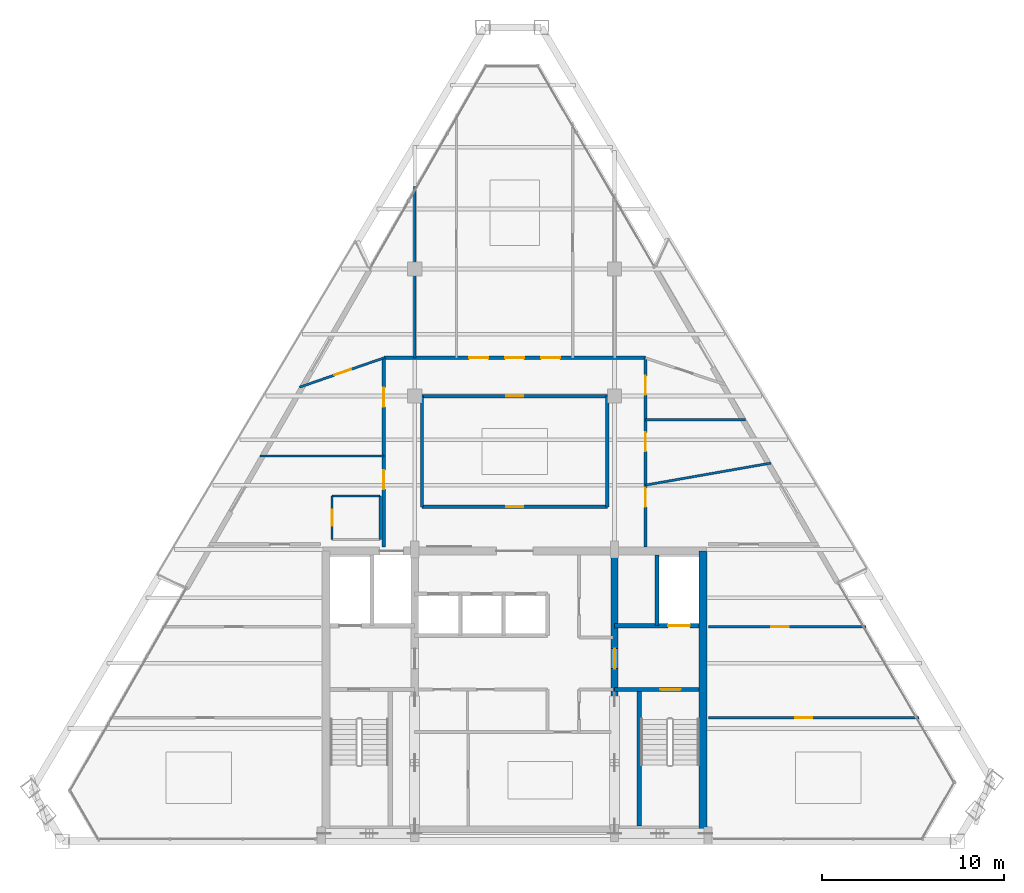
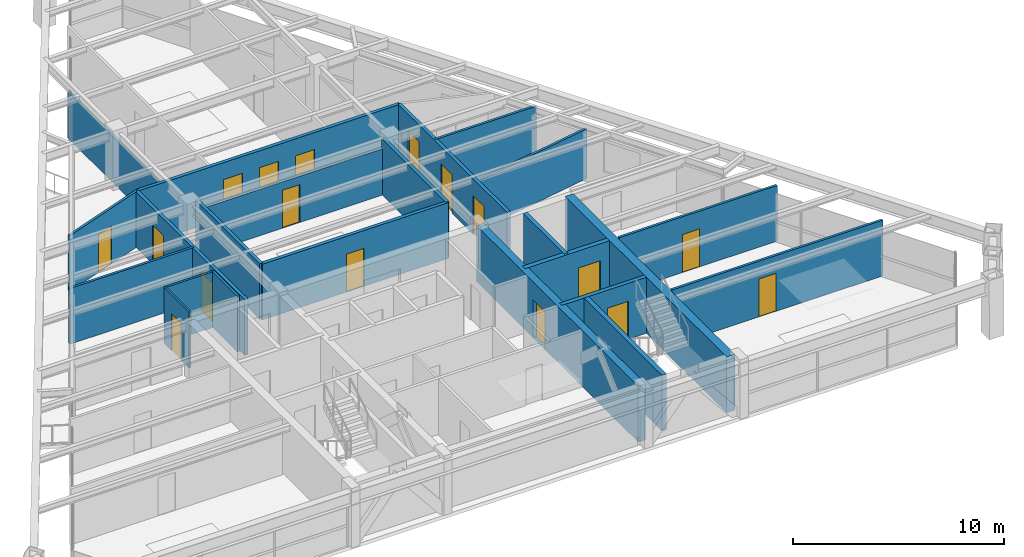
# One storey, part 10 of 13: 23 walls, 17 doors, 17 openings.
"""IFC4 building model written with IfcOpenShell, lengths in metres."""

from ifc_helpers import new_model, si_unit, direction, frame, frame_2d, origin, place, context, subcontext, project, spatial, rectangle, extrude, source, transform, mapped, material, layer, layer_set, type_object, type_shapes, element, fill, save


model = new_model("IFC4")

# Units and contexts
model_context = context("Model", 3, precision=1e-05, world=origin(), true_north=direction((0.0, 1.0)))
body_context = subcontext(model_context, "Body", "Model", "MODEL_VIEW")
ifc_project = project(units=[si_unit("LENGTHUNIT", "METRE"), si_unit("AREAUNIT", "SQUARE_METRE"), si_unit("VOLUMEUNIT", "CUBIC_METRE"), si_unit("PLANEANGLEUNIT", "RADIAN"), si_unit("MASSUNIT", "GRAM", prefix="KILO")], contexts=[model_context])

# Site, building, storey
site_placement = place(None, origin())
site = spatial("IfcSite", under=ifc_project, at=site_placement, CompositionType="ELEMENT")
building_placement = place(site_placement, origin())
building = spatial("IfcBuilding", under=site, at=building_placement, Name="Varnakhor Terracotta Tower", CompositionType="ELEMENT")
storey_placement = place(building_placement, frame((0.0, 0.0, 290.25)))
storey = spatial("IfcBuildingStorey", under=building, at=storey_placement, Name="L76", CompositionType="ELEMENT", Elevation=290.25)

# Wall
ifc_material_1 = material(Name="Moisture-Resistant Tile-Backed Partition", Category="gypsum")
ifc_layer_1 = layer(ifc_material_1, 0.114990234375, Name="Moisture-Resistant Tile-Backed Partition")
ifc_layer_set_1 = layer_set([ifc_layer_1], Name="Moisture-Resistant Tile-Backed Partition")
wall_type_1 = type_object("IfcWallType", Name="WAL-BATH-115", PredefinedType="PARTITIONING", material=ifc_layer_set_1)
wall_1_placement = place(storey_placement, frame((-10.050048828125, 19.0, 0.0), z_axis=(0.0, 0.0, 1.0), x_axis=(1.0, 0.0, 0.0)))
element("IfcWall", 1, at=wall_1_placement, inside=storey, type_object=wall_type_1, Name="L76 En-Suite 1 Wall N", PredefinedType="PARTITIONING", context=body_context, shape_type="SweptSolid", body=[
    extrude(rectangle(XDim=2.650146484375, YDim=0.114990234375, at=frame_2d((1.3251953125, 0.0))), origin(), (0.0, 0.0, 1.0), 3.23193359375),
])

# Wall, opening, door
wall_2_placement = place(storey_placement, frame((-10.050048828125, 16.60009765625, 0.0), z_axis=(0.0, 0.0, 1.0), x_axis=(0.0, 1.0, 0.0)))
wall_2 = element("IfcWall", 2, at=wall_2_placement, inside=storey, type_object=wall_type_1, Name="L76 En-Suite 1 Wall W", PredefinedType="PARTITIONING", context=body_context, shape_type="SweptSolid", body=[
    extrude(rectangle(XDim=2.39990234375, YDim=0.114990234375, at=frame_2d((1.199951171875, 0.0))), origin(), (0.0, 0.0, 1.0), 3.23193359375),
])
opening_1_placement = place(wall_2_placement, frame((0.75, 0.0, 0.0)))
opening_1 = element("IfcOpeningElement", 3, at=opening_1_placement, cuts=wall_2, Name="Opening DR-93", PredefinedType="OPENING", context=body_context, shape_type="SweptSolid", body=[
    extrude(rectangle(XDim=0.89990234375, YDim=2.14990234375, at=frame_2d((0.449951171875, 1.074951171875))), frame((0.0, 0.0673828125, 0.0), z_axis=(0.0, -1.0, 0.0), x_axis=(1.0, 0.0, 0.0)), (0.0, 0.0, 1.0), 0.135009765625),
])
ifc_material_2 = material(Name="Moisture-Resistant Accessible Bathroom Door", Category="wood")
door_type_1 = type_object("IfcDoorType", Name="DR-BATH-900X2150", OperationType="NOTDEFINED", PredefinedType="DOOR", material=ifc_material_2)
shared_shape_1 = source(origin(), body_context, "Body", "SweptSolid", [
    extrude(rectangle(XDim=0.89990234375, YDim=2.14990234375, at=frame_2d((0.449951171875, 1.074951171875))), frame((0.0, 0.02490234375, 0.0), z_axis=(0.0, -1.0, 0.0), x_axis=(1.0, 0.0, 0.0)), (0.0, 0.0, 1.0), 0.050048828125),
])
type_shapes(door_type_1, [shared_shape_1])
door_1_placement = place(opening_1_placement, origin())
door_1 = element("IfcDoor", 4, at=door_1_placement, inside=storey, type_object=door_type_1, Name="L76 En-Suite Bathroom 1 Door", OperationType="SINGLE_SWING_RIGHT", OverallHeight=2.14990234375, OverallWidth=0.89990234375, PredefinedType="DOOR", context=body_context, shape_type="MappedRepresentation", body=[
    mapped(shared_shape_1, transform((0.0, 0.0, 0.0), scale=1.0)),
])
fill(opening_1, door_1)

# Walls
wall_3_placement = place(storey_placement, frame((-7.39990234375, 16.60009765625, 0.0), z_axis=(0.0, 0.0, 1.0), x_axis=(0.0, 1.0, 0.0)))
element("IfcWall", 5, at=wall_3_placement, inside=storey, type_object=wall_type_1, Name="L76 En-Suite 1 Wall E", PredefinedType="PARTITIONING", context=body_context, shape_type="SweptSolid", body=[
    extrude(rectangle(XDim=2.39990234375, YDim=0.114990234375, at=frame_2d((1.199951171875, 0.0))), origin(), (0.0, 0.0, 1.0), 3.23193359375),
])
ifc_material_3 = material(Name="Concrete C50/60", Category="concrete")
ifc_layer_2 = layer(ifc_material_3, 0.449951171875, Name="Concrete C50/60")
ifc_layer_set_2 = layer_set([ifc_layer_2], Name="Concrete C50/60")
wall_type_2 = type_object("IfcWallType", Name="WAL-CORE-450", PredefinedType="SHEAR", material=ifc_layer_set_2)
wall_4_placement = place(storey_placement, frame((10.375, 0.625, 0.0), z_axis=(0.0, 0.0, 1.0), x_axis=(0.0, 1.0, 0.0)))
element("IfcWall", 6, at=wall_4_placement, inside=storey, type_object=wall_type_2, Name="L76 East Core Shear Wall", PredefinedType="SHEAR", context=body_context, shape_type="SweptSolid", body=[
    extrude(rectangle(XDim=15.35009765625, YDim=0.449951171875, at=frame_2d((7.675048828125, 0.0))), origin(), (0.0, 0.0, 1.0), 3.239990234375),
])

# Wall, opening, door
ifc_layer_3 = layer(ifc_material_3, 0.39990234375, Name="Concrete C50/60")
ifc_layer_set_3 = layer_set([ifc_layer_3], Name="Concrete C50/60")
wall_type_3 = type_object("IfcWallType", Name="WAL-CORE-WEB-400", PredefinedType="SHEAR", material=ifc_layer_set_3)
wall_5_placement = place(storey_placement, frame((5.5, 0.625, 0.0), z_axis=(0.0, 0.0, 1.0), x_axis=(0.0, 1.0, 0.0)))
wall_5 = element("IfcWall", 7, at=wall_5_placement, inside=storey, type_object=wall_type_3, Name="L76 East Core Web Shear Wall", PredefinedType="SHEAR", context=body_context, shape_type="SweptSolid", body=[
    extrude(rectangle(XDim=15.35009765625, YDim=0.39990234375, at=frame_2d((7.675048828125, 0.0))), origin(), (0.0, 0.0, 1.0), 3.239990234375),
])
opening_2_placement = place(wall_5_placement, frame((8.875, 0.0, 0.0)))
opening_2 = element("IfcOpeningElement", 8, at=opening_2_placement, cuts=wall_5, Name="Opening DR-25", PredefinedType="OPENING", context=body_context, shape_type="SweptSolid", body=[
    extrude(rectangle(XDim=1.10009765625, YDim=2.199951171875, at=frame_2d((0.550048828125, 1.10009765625))), frame((0.0, 0.2099609375, 0.0), z_axis=(0.0, -1.0, 0.0), x_axis=(1.0, 0.0, 0.0)), (0.0, 0.0, 1.0), 0.419921875),
])
ifc_material_4 = material(Name="Firefighting Lobby Self-Closing Fire Door", Category="steel")
door_type_2 = type_object("IfcDoorType", Name="DR-FFL-1100X2200", OperationType="NOTDEFINED", PredefinedType="DOOR", material=ifc_material_4)
shared_shape_2 = source(origin(), body_context, "Body", "SweptSolid", [
    extrude(rectangle(XDim=1.10009765625, YDim=2.199951171875, at=frame_2d((0.550048828125, 1.10009765625))), frame((0.0, 0.02490234375, 0.0), z_axis=(0.0, -1.0, 0.0), x_axis=(1.0, 0.0, 0.0)), (0.0, 0.0, 1.0), 0.050048828125),
])
type_shapes(door_type_2, [shared_shape_2])
door_2_placement = place(opening_2_placement, origin())
door_2 = element("IfcDoor", 9, at=door_2_placement, inside=storey, type_object=door_type_2, Name="L76 East Firefighting Lobby Door", OperationType="SINGLE_SWING_RIGHT", OverallHeight=2.199951171875, OverallWidth=1.10009765625, PredefinedType="DOOR", context=body_context, shape_type="MappedRepresentation", body=[
    mapped(shared_shape_2, transform((0.0, 0.0, 0.0), scale=1.0)),
])
fill(opening_2, door_2)

ifc_material_5 = material(Name="Fire-Rated Gypsum Stud Partition", Category="gypsum")
ifc_layer_4 = layer(ifc_material_5, 0.18505859375, Name="Fire-Rated Gypsum Stud Partition")
ifc_layer_set_4 = layer_set([ifc_layer_4], Name="Fire-Rated Gypsum Stud Partition")
wall_type_4 = type_object("IfcWallType", Name="WAL-CORR-185", PredefinedType="PARTITIONING", material=ifc_layer_set_4)
wall_6_placement = place(storey_placement, frame((-5.10009765625, 18.39990234375, 0.0), z_axis=(0.0, 0.0, 1.0), x_axis=(1.0, 0.0, 0.0)))
wall_6 = element("IfcWall", 10, at=wall_6_placement, inside=storey, type_object=wall_type_4, Name="L76 Ring Inner South Wall", PredefinedType="PARTITIONING", context=body_context, shape_type="SweptSolid", body=[
    extrude(rectangle(XDim=10.2001953125, YDim=0.18505859375, at=frame_2d((5.10009765625, 0.0))), origin(), (0.0, 0.0, 1.0), 3.23193359375),
])
opening_3_placement = place(wall_6_placement, frame((4.625, 0.0, 0.0)))
opening_3 = element("IfcOpeningElement", 11, at=opening_3_placement, cuts=wall_6, Name="Opening DR-94", PredefinedType="OPENING", context=body_context, shape_type="SweptSolid", body=[
    extrude(rectangle(XDim=0.949951171875, YDim=2.199951171875, at=frame_2d((0.47509765625, 1.10009765625))), frame((0.0, 0.1025390625, 0.0), z_axis=(0.0, -1.0, 0.0), x_axis=(1.0, 0.0, 0.0)), (0.0, 0.0, 1.0), 0.205078125),
])
ifc_material_6 = material(Name="Acoustic Glazed-Vision Timber Office Door", Category="wood")
door_type_3 = type_object("IfcDoorType", Name="DR-OFF-950X2200", OperationType="NOTDEFINED", PredefinedType="DOOR", material=ifc_material_6)
shared_shape_3 = source(origin(), body_context, "Body", "SweptSolid", [
    extrude(rectangle(XDim=0.949951171875, YDim=2.199951171875, at=frame_2d((0.47509765625, 1.10009765625))), frame((0.0, 0.02490234375, 0.0), z_axis=(0.0, -1.0, 0.0), x_axis=(1.0, 0.0, 0.0)), (0.0, 0.0, 1.0), 0.050048828125),
])
type_shapes(door_type_3, [shared_shape_3])
door_3_placement = place(opening_3_placement, origin())
door_3 = element("IfcDoor", 12, at=door_3_placement, inside=storey, type_object=door_type_3, Name="L76 Housekeeping Station Door", OperationType="SINGLE_SWING_LEFT", OverallHeight=2.199951171875, OverallWidth=0.949951171875, PredefinedType="DOOR", context=body_context, shape_type="MappedRepresentation", body=[
    mapped(shared_shape_3, transform((0.0, 0.0, 0.0), scale=1.0)),
])
fill(opening_3, door_3)

wall_7_placement = place(storey_placement, frame((-5.10009765625, 24.5, 0.0), z_axis=(0.0, 0.0, 1.0), x_axis=(1.0, 0.0, 0.0)))
wall_7 = element("IfcWall", 13, at=wall_7_placement, inside=storey, type_object=wall_type_4, Name="L76 Ring Inner North Wall", PredefinedType="PARTITIONING", context=body_context, shape_type="SweptSolid", body=[
    extrude(rectangle(XDim=10.2001953125, YDim=0.18505859375, at=frame_2d((5.10009765625, 0.0))), origin(), (0.0, 0.0, 1.0), 2.68310546875),
])
opening_4_placement = place(wall_7_placement, frame((4.625, 0.0, 0.0)))
opening_4 = element("IfcOpeningElement", 14, at=opening_4_placement, cuts=wall_7, Name="Opening DR-94", PredefinedType="OPENING", context=body_context, shape_type="SweptSolid", body=[
    extrude(rectangle(XDim=0.949951171875, YDim=2.199951171875, at=frame_2d((0.47509765625, 1.10009765625))), frame((0.0, 0.1025390625, 0.0), z_axis=(0.0, -1.0, 0.0), x_axis=(1.0, 0.0, 0.0)), (0.0, 0.0, 1.0), 0.205078125),
])
door_4_placement = place(opening_4_placement, origin())
door_4 = element("IfcDoor", 15, at=door_4_placement, inside=storey, type_object=door_type_3, Name="L76 Inner Service Door", OperationType="SINGLE_SWING_RIGHT", OverallHeight=2.199951171875, OverallWidth=0.949951171875, PredefinedType="DOOR", context=body_context, shape_type="MappedRepresentation", body=[
    mapped(shared_shape_3, transform((0.0, 0.0, 0.0), scale=1.0)),
])
fill(opening_4, door_4)

# Walls
for number, where, z_axis, x_axis, name in (
    (16, (-5.10009765625, 18.39990234375, 0.0), (0.0, 0.0, 1.0), (0.0, 1.0, 0.0), "L76 Ring Inner West Wall"),
    (17, (5.10009765625, 18.39990234375, 0.0), (0.0, 0.0, 1.0), (0.0, 1.0, 0.0), "L76 Ring Inner East Wall"),
):
    element("IfcWall", number, at=place(storey_placement, frame(where, z_axis=z_axis, x_axis=x_axis)), inside=storey, type_object=wall_type_4, Name=name, PredefinedType="PARTITIONING", context=body_context, shape_type="SweptSolid", body=[
        extrude(rectangle(XDim=6.10009765625, YDim=0.18505859375, at=frame_2d((3.050048828125, 0.0))), origin(), (0.0, 0.0, 1.0), 3.23193359375),
    ])

# Wall, openings, doors
wall_8_placement = place(storey_placement, frame((-7.199951171875, 16.199951171875, 0.0), z_axis=(0.0, 0.0, 1.0), x_axis=(0.0, 1.0, 0.0)))
wall_8 = element("IfcWall", 18, at=wall_8_placement, inside=storey, type_object=wall_type_4, Name="L76 Hotel West Corridor Wall", PredefinedType="PARTITIONING", context=body_context, shape_type="SweptSolid", body=[
    extrude(rectangle(XDim=10.400146484375, YDim=0.18505859375, at=frame_2d((5.2001953125, 0.0))), origin(), (0.0, 0.0, 1.0), 3.23193359375),
])
opening_5_placement = place(wall_8_placement, frame((3.1796875, 0.0, 0.0)))
opening_5 = element("IfcOpeningElement", 19, at=opening_5_placement, cuts=wall_8, Name="Opening DR-95", PredefinedType="OPENING", context=body_context, shape_type="SweptSolid", body=[
    extrude(rectangle(XDim=1.050048828125, YDim=2.25, at=frame_2d((0.52490234375, 1.125))), frame((0.0, 0.1025390625, 0.0), z_axis=(0.0, -1.0, 0.0), x_axis=(1.0, 0.0, 0.0)), (0.0, 0.0, 1.0), 0.205078125),
])
opening_6_placement = place(wall_8_placement, frame((7.71240234375, 0.0, 0.0)))
opening_6 = element("IfcOpeningElement", 20, at=opening_6_placement, cuts=wall_8, Name="Opening DR-95", PredefinedType="OPENING", context=body_context, shape_type="SweptSolid", body=[
    extrude(rectangle(XDim=1.050048828125, YDim=2.25, at=frame_2d((0.52490234375, 1.125))), frame((0.0, 0.1025390625, 0.0), z_axis=(0.0, -1.0, 0.0), x_axis=(1.0, 0.0, 0.0)), (0.0, 0.0, 1.0), 0.205078125),
])
ifc_material_7 = material(Name="Solid-Core Timber Tenant/Hotel Entrance Door", Category="wood")
door_type_4 = type_object("IfcDoorType", Name="DR-SUITE-1050X2250", OperationType="NOTDEFINED", PredefinedType="DOOR", material=ifc_material_7)
shared_shape_4 = source(origin(), body_context, "Body", "SweptSolid", [
    extrude(rectangle(XDim=1.050048828125, YDim=2.25, at=frame_2d((0.52490234375, 1.125))), frame((0.0, 0.02490234375, 0.0), z_axis=(0.0, -1.0, 0.0), x_axis=(1.0, 0.0, 0.0)), (0.0, 0.0, 1.0), 0.050048828125),
])
type_shapes(door_type_4, [shared_shape_4])
door_5_placement = place(opening_5_placement, origin())
door_5 = element("IfcDoor", 21, at=door_5_placement, inside=storey, type_object=door_type_4, Name="L76 West Room 1 Entry Door", OperationType="SINGLE_SWING_LEFT", OverallHeight=2.25, OverallWidth=1.050048828125, PredefinedType="DOOR", context=body_context, shape_type="MappedRepresentation", body=[
    mapped(shared_shape_4, transform((0.0, 0.0, 0.0), scale=1.0)),
])
fill(opening_5, door_5)
door_6_placement = place(opening_6_placement, origin())
door_6 = element("IfcDoor", 22, at=door_6_placement, inside=storey, type_object=door_type_4, Name="L76 West Room 2 Entry Door", OperationType="SINGLE_SWING_LEFT", OverallHeight=2.25, OverallWidth=1.050048828125, PredefinedType="DOOR", context=body_context, shape_type="MappedRepresentation", body=[
    mapped(shared_shape_4, transform((0.0, 0.0, 0.0), scale=1.0)),
])
fill(opening_6, door_6)

wall_9_placement = place(storey_placement, frame((7.199951171875, 16.199951171875, 0.0), z_axis=(0.0, 0.0, 1.0), x_axis=(0.0, 1.0, 0.0)))
wall_9 = element("IfcWall", 23, at=wall_9_placement, inside=storey, type_object=wall_type_4, Name="L76 Hotel East Corridor Wall", PredefinedType="PARTITIONING", context=body_context, shape_type="SweptSolid", body=[
    extrude(rectangle(XDim=10.400146484375, YDim=0.18505859375, at=frame_2d((5.2001953125, 0.0))), origin(), (0.0, 0.0, 1.0), 3.23193359375),
])
opening_7_placement = place(wall_9_placement, frame((2.1982421875, 0.0, 0.0)))
opening_7 = element("IfcOpeningElement", 24, at=opening_7_placement, cuts=wall_9, Name="Opening DR-95", PredefinedType="OPENING", context=body_context, shape_type="SweptSolid", body=[
    extrude(rectangle(XDim=1.050048828125, YDim=2.25, at=frame_2d((0.52490234375, 1.125))), frame((0.0, 0.1025390625, 0.0), z_axis=(0.0, -1.0, 0.0), x_axis=(1.0, 0.0, 0.0)), (0.0, 0.0, 1.0), 0.205078125),
])
opening_8_placement = place(wall_9_placement, frame((5.25244140625, 0.0, 0.0)))
opening_8 = element("IfcOpeningElement", 25, at=opening_8_placement, cuts=wall_9, Name="Opening DR-95", PredefinedType="OPENING", context=body_context, shape_type="SweptSolid", body=[
    extrude(rectangle(XDim=1.050048828125, YDim=2.25, at=frame_2d((0.52490234375, 1.125))), frame((0.0, 0.1025390625, 0.0), z_axis=(0.0, -1.0, 0.0), x_axis=(1.0, 0.0, 0.0)), (0.0, 0.0, 1.0), 0.205078125),
])
opening_9_placement = place(wall_9_placement, frame((8.36865234375, 0.0, 0.0)))
opening_9 = element("IfcOpeningElement", 26, at=opening_9_placement, cuts=wall_9, Name="Opening DR-95", PredefinedType="OPENING", context=body_context, shape_type="SweptSolid", body=[
    extrude(rectangle(XDim=1.050048828125, YDim=2.25, at=frame_2d((0.52490234375, 1.125))), frame((0.0, 0.1025390625, 0.0), z_axis=(0.0, -1.0, 0.0), x_axis=(1.0, 0.0, 0.0)), (0.0, 0.0, 1.0), 0.205078125),
])
door_7_placement = place(opening_7_placement, origin())
door_7 = element("IfcDoor", 27, at=door_7_placement, inside=storey, type_object=door_type_4, Name="L76 East Room 1 Entry Door", OperationType="SINGLE_SWING_RIGHT", OverallHeight=2.25, OverallWidth=1.050048828125, PredefinedType="DOOR", context=body_context, shape_type="MappedRepresentation", body=[
    mapped(shared_shape_4, transform((0.0, 0.0, 0.0), scale=1.0)),
])
fill(opening_7, door_7)
door_8_placement = place(opening_8_placement, origin())
door_8 = element("IfcDoor", 28, at=door_8_placement, inside=storey, type_object=door_type_4, Name="L76 East Room 2 Entry Door", OperationType="SINGLE_SWING_LEFT", OverallHeight=2.25, OverallWidth=1.050048828125, PredefinedType="DOOR", context=body_context, shape_type="MappedRepresentation", body=[
    mapped(shared_shape_4, transform((0.0, 0.0, 0.0), scale=1.0)),
])
fill(opening_8, door_8)
door_9_placement = place(opening_9_placement, origin())
door_9 = element("IfcDoor", 29, at=door_9_placement, inside=storey, type_object=door_type_4, Name="L76 East Room 3 Entry Door", OperationType="SINGLE_SWING_RIGHT", OverallHeight=2.25, OverallWidth=1.050048828125, PredefinedType="DOOR", context=body_context, shape_type="MappedRepresentation", body=[
    mapped(shared_shape_4, transform((0.0, 0.0, 0.0), scale=1.0)),
])
fill(opening_9, door_9)

wall_10_placement = place(storey_placement, frame((-7.199951171875, 26.60009765625, 0.0), z_axis=(0.0, 0.0, 1.0), x_axis=(1.0, 0.0, 0.0)))
wall_10 = element("IfcWall", 30, at=wall_10_placement, inside=storey, type_object=wall_type_4, Name="L76 Hotel North Corridor Wall", PredefinedType="PARTITIONING", context=body_context, shape_type="SweptSolid", body=[
    extrude(rectangle(XDim=14.39990234375, YDim=0.18505859375, at=frame_2d((7.199951171875, 0.0))), origin(), (0.0, 0.0, 1.0), 3.23193359375),
])
opening_10_placement = place(wall_10_placement, frame((4.697509765625, 0.0, 0.0)))
opening_10 = element("IfcOpeningElement", 31, at=opening_10_placement, cuts=wall_10, Name="Opening DR-95", PredefinedType="OPENING", context=body_context, shape_type="SweptSolid", body=[
    extrude(rectangle(XDim=1.050048828125, YDim=2.25, at=frame_2d((0.52490234375, 1.125))), frame((0.0, 0.1025390625, 0.0), z_axis=(0.0, -1.0, 0.0), x_axis=(1.0, 0.0, 0.0)), (0.0, 0.0, 1.0), 0.205078125),
])
opening_11_placement = place(wall_10_placement, frame((6.675048828125, 0.0, 0.0)))
opening_11 = element("IfcOpeningElement", 32, at=opening_11_placement, cuts=wall_10, Name="Opening DR-95", PredefinedType="OPENING", context=body_context, shape_type="SweptSolid", body=[
    extrude(rectangle(XDim=1.050048828125, YDim=2.25, at=frame_2d((0.52490234375, 1.125))), frame((0.0, 0.1025390625, 0.0), z_axis=(0.0, -1.0, 0.0), x_axis=(1.0, 0.0, 0.0)), (0.0, 0.0, 1.0), 0.205078125),
])
opening_12_placement = place(wall_10_placement, frame((8.652587890625, 0.0, 0.0)))
opening_12 = element("IfcOpeningElement", 33, at=opening_12_placement, cuts=wall_10, Name="Opening DR-95", PredefinedType="OPENING", context=body_context, shape_type="SweptSolid", body=[
    extrude(rectangle(XDim=1.050048828125, YDim=2.25, at=frame_2d((0.52490234375, 1.125))), frame((0.0, 0.1025390625, 0.0), z_axis=(0.0, -1.0, 0.0), x_axis=(1.0, 0.0, 0.0)), (0.0, 0.0, 1.0), 0.205078125),
])
door_10_placement = place(opening_10_placement, origin())
door_10 = element("IfcDoor", 34, at=door_10_placement, inside=storey, type_object=door_type_4, Name="L76 North Suite 1 Entry Door", OperationType="SINGLE_SWING_LEFT", OverallHeight=2.25, OverallWidth=1.050048828125, PredefinedType="DOOR", context=body_context, shape_type="MappedRepresentation", body=[
    mapped(shared_shape_4, transform((0.0, 0.0, 0.0), scale=1.0)),
])
fill(opening_10, door_10)
door_11_placement = place(opening_11_placement, origin())
door_11 = element("IfcDoor", 35, at=door_11_placement, inside=storey, type_object=door_type_4, Name="L76 North Suite 2 Entry Door", OperationType="SINGLE_SWING_RIGHT", OverallHeight=2.25, OverallWidth=1.050048828125, PredefinedType="DOOR", context=body_context, shape_type="MappedRepresentation", body=[
    mapped(shared_shape_4, transform((0.0, 0.0, 0.0), scale=1.0)),
])
fill(opening_11, door_11)
door_12_placement = place(opening_12_placement, origin())
door_12 = element("IfcDoor", 36, at=door_12_placement, inside=storey, type_object=door_type_4, Name="L76 North Suite 3 Entry Door", OperationType="SINGLE_SWING_LEFT", OverallHeight=2.25, OverallWidth=1.050048828125, PredefinedType="DOOR", context=body_context, shape_type="MappedRepresentation", body=[
    mapped(shared_shape_4, transform((0.0, 0.0, 0.0), scale=1.0)),
])
fill(opening_12, door_12)

# Wall, opening, door
ifc_material_8 = material(Name="Concrete C40/50", Category="concrete")
ifc_layer_5 = layer(ifc_material_8, 0.219970703125, Name="Concrete C40/50")
ifc_layer_set_5 = layer_set([ifc_layer_5], Name="Concrete C40/50")
wall_type_5 = type_object("IfcWallType", Name="WAL-FFLOBBY-220", PredefinedType="SOLIDWALL", material=ifc_layer_set_5)
wall_11_placement = place(storey_placement, frame((10.14990234375, 8.35009765625, 0.0), z_axis=(0.0, 0.0, 1.0), x_axis=(-1.0, 0.0, 0.0)))
wall_11 = element("IfcWall", 37, at=wall_11_placement, inside=storey, type_object=wall_type_5, Name="L76 East Firefighting Lobby Stair Wall", PredefinedType="SOLIDWALL", context=body_context, shape_type="SweptSolid", body=[
    extrude(rectangle(XDim=4.64990234375, YDim=0.219970703125, at=frame_2d((2.324951171875, 0.0))), origin(), (0.0, 0.0, 1.0), 3.239990234375),
])
opening_13_placement = place(wall_11_placement, frame((1.0, 0.0, 0.0)))
opening_13 = element("IfcOpeningElement", 38, at=opening_13_placement, cuts=wall_11, Name="Opening DR-34", PredefinedType="OPENING", context=body_context, shape_type="SweptSolid", body=[
    extrude(rectangle(XDim=1.14990234375, YDim=2.199951171875, at=frame_2d((0.574951171875, 1.10009765625))), frame((0.0, 0.1201171875, 0.0), z_axis=(0.0, -1.0, 0.0), x_axis=(1.0, 0.0, 0.0)), (0.0, 0.0, 1.0), 0.239990234375),
])
ifc_material_9 = material(Name="Self-Closing Smoke-Sealed Steel Fire Door", Category="steel")
door_type_5 = type_object("IfcDoorType", Name="DR-STAIR-1150X2200", OperationType="NOTDEFINED", PredefinedType="DOOR", material=ifc_material_9)
shared_shape_5 = source(origin(), body_context, "Body", "SweptSolid", [
    extrude(rectangle(XDim=1.14990234375, YDim=2.199951171875, at=frame_2d((0.574951171875, 1.10009765625))), frame((0.0, 0.02490234375, 0.0), z_axis=(0.0, -1.0, 0.0), x_axis=(1.0, 0.0, 0.0)), (0.0, 0.0, 1.0), 0.050048828125),
])
type_shapes(door_type_5, [shared_shape_5])
door_13_placement = place(opening_13_placement, origin())
door_13 = element("IfcDoor", 39, at=door_13_placement, inside=storey, type_object=door_type_5, Name="L76 Exit Stair ST-2 Fire Door", OperationType="SINGLE_SWING_LEFT", OverallHeight=2.199951171875, OverallWidth=1.14990234375, PredefinedType="DOOR", context=body_context, shape_type="MappedRepresentation", body=[
    mapped(shared_shape_5, transform((0.0, 0.0, 0.0), scale=1.0)),
])
fill(opening_13, door_13)

ifc_material_10 = material(Name="Acoustic Hotel Room Partition", Category="gypsum")
ifc_layer_6 = layer(ifc_material_10, 0.1298828125, Name="Acoustic Hotel Room Partition")
ifc_layer_set_6 = layer_set([ifc_layer_6], Name="Acoustic Hotel Room Partition")
wall_type_6 = type_object("IfcWallType", Name="WAL-PART-130", PredefinedType="PARTITIONING", material=ifc_layer_set_6)
wall_12_placement = place(storey_placement, frame((-11.843505859375, 24.986083984375, 0.0), z_axis=(0.0, 0.0, 1.0), x_axis=(0.944568461482, 0.328314516239, 0.0)))
wall_12 = element("IfcWall", 40, at=wall_12_placement, inside=storey, type_object=wall_type_6, Name="L76 North West Suite South Wall", PredefinedType="PARTITIONING", context=body_context, shape_type="SweptSolid", body=[
    extrude(rectangle(XDim=4.916015625, YDim=0.1298828125, at=frame_2d((2.4580078125, 0.0))), origin(), (0.0, 0.0, 1.0), 3.23193359375),
])
opening_14_placement = place(wall_12_placement, frame((2.048095703125, 0.0, 0.0)))
opening_14 = element("IfcOpeningElement", 41, at=opening_14_placement, cuts=wall_12, Name="Opening DR-94", PredefinedType="OPENING", context=body_context, shape_type="SweptSolid", body=[
    extrude(rectangle(XDim=0.949951171875, YDim=2.199951171875, at=frame_2d((0.47509765625, 1.10009765625))), frame((0.0, 0.074951171875, 0.0), z_axis=(0.0, -1.0, 0.0), x_axis=(1.0, 0.0, 0.0)), (0.0, 0.0, 1.0), 0.14990234375),
])
door_14_placement = place(opening_14_placement, origin())
door_14 = element("IfcDoor", 42, at=door_14_placement, inside=storey, type_object=door_type_3, Name="L76 Hearing Registry Office NW Door", OperationType="SINGLE_SWING_LEFT", OverallHeight=2.199951171875, OverallWidth=0.949951171875, PredefinedType="DOOR", context=body_context, shape_type="MappedRepresentation", body=[
    mapped(shared_shape_3, transform((0.0, 0.0, 0.0), scale=1.0)),
])
fill(opening_14, door_14)

# Wall
wall_13_placement = place(storey_placement, frame((-5.5, 26.60009765625, 0.0), z_axis=(0.0, 0.0, 1.0), x_axis=(0.0, 1.0, 0.0)))
element("IfcWall", 43, at=wall_13_placement, inside=storey, type_object=wall_type_6, Name="L76 North West Column Wall", PredefinedType="PARTITIONING", context=body_context, shape_type="SweptSolid", body=[
    extrude(rectangle(XDim=9.430419921875, YDim=0.1298828125, at=frame_2d((4.71533203125, 0.0))), origin(), (0.0, 0.0, 1.0), 2.68310546875),
])

# Wall, opening, door
wall_14_placement = place(storey_placement, frame((10.679931640625, 6.800048828125, 0.0), z_axis=(0.0, 0.0, 1.0), x_axis=(1.0, 0.0, 0.0)))
wall_14 = element("IfcWall", 44, at=wall_14_placement, inside=storey, type_object=wall_type_6, Name="L76 SE Key Split 1", PredefinedType="PARTITIONING", context=body_context, shape_type="SweptSolid", body=[
    extrude(rectangle(XDim=11.562255859375, YDim=0.1298828125, at=frame_2d((5.78125, 0.0))), origin(), (0.0, 0.0, 1.0), 3.23193359375),
])
opening_15_placement = place(wall_14_placement, frame((4.761962890625, 0.0, 0.0)))
opening_15 = element("IfcOpeningElement", 45, at=opening_15_placement, cuts=wall_14, Name="Opening DR-94", PredefinedType="OPENING", context=body_context, shape_type="SweptSolid", body=[
    extrude(rectangle(XDim=0.949951171875, YDim=2.199951171875, at=frame_2d((0.47509765625, 1.10009765625))), frame((0.0, 0.074951171875, 0.0), z_axis=(0.0, -1.0, 0.0), x_axis=(1.0, 0.0, 0.0)), (0.0, 0.0, 1.0), 0.14990234375),
])
door_15_placement = place(opening_15_placement, origin())
door_15 = element("IfcDoor", 46, at=door_15_placement, inside=storey, type_object=door_type_3, Name="L76 SE Suite Connect Door 1", OperationType="SINGLE_SWING_LEFT", OverallHeight=2.199951171875, OverallWidth=0.949951171875, PredefinedType="DOOR", context=body_context, shape_type="MappedRepresentation", body=[
    mapped(shared_shape_3, transform((0.0, 0.0, 0.0), scale=1.0)),
])
fill(opening_15, door_15)

wall_15_placement = place(storey_placement, frame((10.679931640625, 11.800048828125, 0.0), z_axis=(0.0, 0.0, 1.0), x_axis=(1.0, 0.0, 0.0)))
wall_15 = element("IfcWall", 47, at=wall_15_placement, inside=storey, type_object=wall_type_6, Name="L76 SE Key Split 2", PredefinedType="PARTITIONING", context=body_context, shape_type="SweptSolid", body=[
    extrude(rectangle(XDim=8.656982421875, YDim=0.1298828125, at=frame_2d((4.32861328125, 0.0))), origin(), (0.0, 0.0, 1.0), 3.23193359375),
])
opening_16_placement = place(wall_15_placement, frame((3.45458984375, 0.0, 0.0)))
opening_16 = element("IfcOpeningElement", 48, at=opening_16_placement, cuts=wall_15, Name="Opening DR-94", PredefinedType="OPENING", context=body_context, shape_type="SweptSolid", body=[
    extrude(rectangle(XDim=0.949951171875, YDim=2.199951171875, at=frame_2d((0.47509765625, 1.10009765625))), frame((0.0, 0.074951171875, 0.0), z_axis=(0.0, -1.0, 0.0), x_axis=(1.0, 0.0, 0.0)), (0.0, 0.0, 1.0), 0.14990234375),
])
door_16_placement = place(opening_16_placement, origin())
door_16 = element("IfcDoor", 49, at=door_16_placement, inside=storey, type_object=door_type_3, Name="L76 SE Suite Connect Door 2", OperationType="SINGLE_SWING_RIGHT", OverallHeight=2.199951171875, OverallWidth=0.949951171875, PredefinedType="DOOR", context=body_context, shape_type="MappedRepresentation", body=[
    mapped(shared_shape_3, transform((0.0, 0.0, 0.0), scale=1.0)),
])
fill(opening_16, door_16)

# Walls
wall_16_placement = place(storey_placement, frame((-14.017822265625, 21.199951171875, 0.0), z_axis=(0.0, 0.0, 1.0), x_axis=(1.0, 0.0, 0.0)))
element("IfcWall", 50, at=wall_16_placement, inside=storey, type_object=wall_type_6, Name="L76 West Key Cut 1", PredefinedType="PARTITIONING", context=body_context, shape_type="SweptSolid", body=[
    extrude(rectangle(XDim=6.81787109375, YDim=0.1298828125, at=frame_2d((3.408935546875, 0.0))), origin(), (0.0, 0.0, 1.0), 3.23193359375),
])
wall_17_placement = place(storey_placement, frame((7.199951171875, 19.60009765625, 0.0), z_axis=(0.0, 0.0, 1.0), x_axis=(0.984955671934, 0.172807188294, 0.0)))
element("IfcWall", 51, at=wall_17_placement, inside=storey, type_object=wall_type_6, Name="L76 East Key Cut 1", PredefinedType="PARTITIONING", context=body_context, shape_type="SweptSolid", body=[
    extrude(rectangle(XDim=7.006103515625, YDim=0.1298828125, at=frame_2d((3.5029296875, 0.0))), origin(), (0.0, 0.0, 1.0), 2.885009765625),
])
wall_18_placement = place(storey_placement, frame((7.199951171875, 23.199951171875, 0.0), z_axis=(0.0, 0.0, 1.0), x_axis=(1.0, 0.0, 0.0)))
element("IfcWall", 52, at=wall_18_placement, inside=storey, type_object=wall_type_6, Name="L76 East Key Cut 2", PredefinedType="PARTITIONING", context=body_context, shape_type="SweptSolid", body=[
    extrude(rectangle(XDim=5.512451171875, YDim=0.1298828125, at=frame_2d((2.75634765625, 0.0))), origin(), (0.0, 0.0, 1.0), 3.23193359375),
])
ifc_layer_7 = layer(ifc_material_8, 0.219970703125, Name="Concrete C40/50")
ifc_layer_set_7 = layer_set([ifc_layer_7], Name="Concrete C40/50")
wall_type_7 = type_object("IfcWallType", Name="WAL-SHAFT-220", PredefinedType="SOLIDWALL", material=ifc_layer_set_7)
wall_19_placement = place(storey_placement, frame((7.840087890625, 11.8701171875, 0.0), z_axis=(0.0, 0.0, 1.0), x_axis=(0.0, 1.0, 0.0)))
element("IfcWall", 53, at=wall_19_placement, inside=storey, type_object=wall_type_7, Name="L76 Lift FFL-2 and Riser Divider Wall", PredefinedType="SOLIDWALL", context=body_context, shape_type="SweptSolid", body=[
    extrude(rectangle(XDim=3.8798828125, YDim=0.219970703125, at=frame_2d((1.93994140625, 0.0))), origin(), (0.0, 0.0, 1.0), 3.239990234375),
])
ifc_layer_8 = layer(ifc_material_8, 0.25, Name="Concrete C40/50")
ifc_layer_set_8 = layer_set([ifc_layer_8], Name="Concrete C40/50")
wall_type_8 = type_object("IfcWallType", Name="WAL-SHAFT-250", PredefinedType="SOLIDWALL", material=ifc_layer_set_8)
wall_20_placement = place(storey_placement, frame((6.85009765625, 0.85009765625, 0.0), z_axis=(0.0, 0.0, 1.0), x_axis=(0.0, 1.0, 0.0)))
element("IfcWall", 54, at=wall_20_placement, inside=storey, type_object=wall_type_8, Name="L76 Stair ST-2 Bearing Shaft Wall", PredefinedType="SOLIDWALL", context=body_context, shape_type="SweptSolid", body=[
    extrude(rectangle(XDim=7.5, YDim=0.25, at=frame_2d((3.75, 0.0))), origin(), (0.0, 0.0, 1.0), 3.239990234375),
])

# Wall, opening, door
wall_21_placement = place(storey_placement, frame((10.14990234375, 11.8701171875, 0.0), z_axis=(0.0, 0.0, 1.0), x_axis=(-1.0, 0.0, 0.0)))
wall_21 = element("IfcWall", 55, at=wall_21_placement, inside=storey, type_object=wall_type_8, Name="L76 Lift FFL-2 Shaft Front Wall", PredefinedType="SOLIDWALL", context=body_context, shape_type="SweptSolid", body=[
    extrude(rectangle(XDim=4.64990234375, YDim=0.25, at=frame_2d((2.324951171875, 0.0))), origin(), (0.0, 0.0, 1.0), 3.239990234375),
])
opening_17_placement = place(wall_21_placement, frame((0.5, 0.0, 0.0)))
opening_17 = element("IfcOpeningElement", 56, at=opening_17_placement, cuts=wall_21, Name="Opening LD-02", PredefinedType="OPENING", context=body_context, shape_type="SweptSolid", body=[
    extrude(rectangle(XDim=1.199951171875, YDim=2.25, at=frame_2d((0.60009765625, 1.125))), frame((0.0, 0.135009765625, 0.0), z_axis=(0.0, -1.0, 0.0), x_axis=(1.0, 0.0, 0.0)), (0.0, 0.0, 1.0), 0.27001953125),
])
ifc_material_11 = material(Name="Firefighting Stretcher Sliding Lift Landing Door", Category="steel")
door_type_6 = type_object("IfcDoorType", Name="LD-FFL-1200X2250", OperationType="NOTDEFINED", PredefinedType="DOOR", material=ifc_material_11)
shared_shape_6 = source(origin(), body_context, "Body", "SweptSolid", [
    extrude(rectangle(XDim=1.199951171875, YDim=2.25, at=frame_2d((0.60009765625, 1.125))), frame((0.0, 0.02490234375, 0.0), z_axis=(0.0, -1.0, 0.0), x_axis=(1.0, 0.0, 0.0)), (0.0, 0.0, 1.0), 0.050048828125),
])
type_shapes(door_type_6, [shared_shape_6])
door_17_placement = place(opening_17_placement, origin())
door_17 = element("IfcDoor", 57, at=door_17_placement, inside=storey, type_object=door_type_6, Name="L76 Firefighting Lift FFL-2 Landing Door", OperationType="SLIDING_TO_RIGHT", OverallHeight=2.25, OverallWidth=1.199951171875, PredefinedType="DOOR", context=body_context, shape_type="MappedRepresentation", body=[
    mapped(shared_shape_6, transform((0.0, 0.0, 0.0), scale=1.0)),
])
fill(opening_17, door_17)

save(model, "model.ifc")
